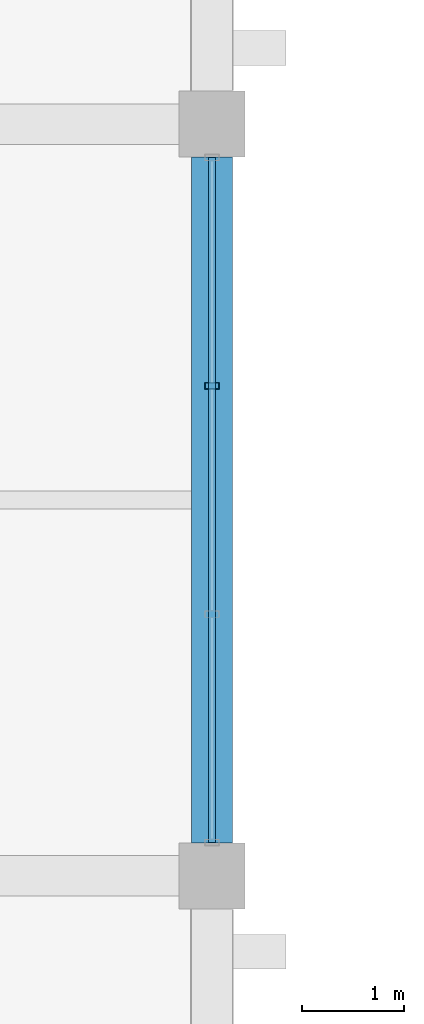
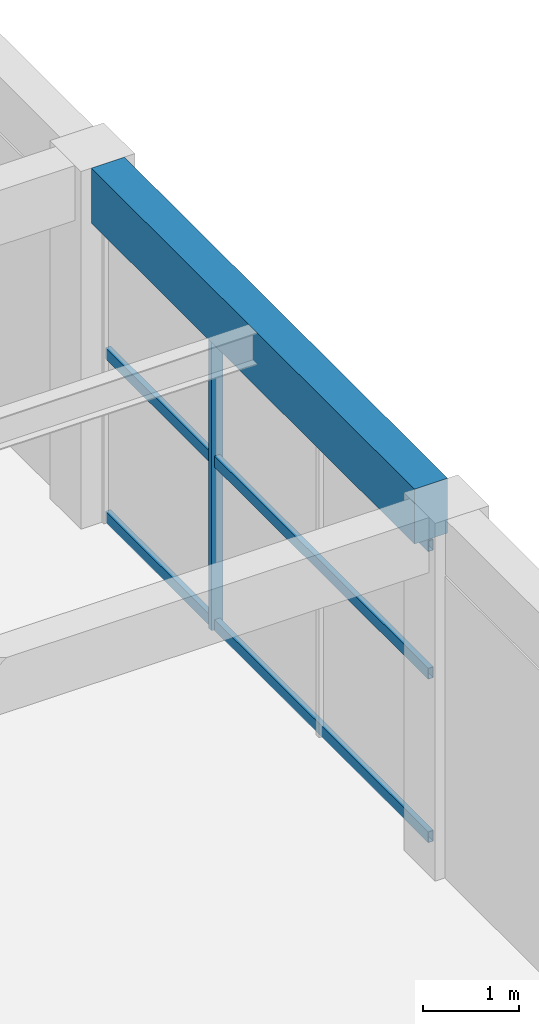
# One storey, part 123 of 161: 4 members, 1 beam, 1 element without a shape of its own.
"""IFC4 building model written with IfcOpenShell, lengths in metres."""

from ifc_helpers import new_model, si_unit, direction, frame, origin, origin_2d, place, context, subcontext, project, spatial, rectangle, hollow_rectangle, extrude, material, material_profile, profile_set, type_object, element, aggregate, save


model = new_model("IFC4")

# Units and contexts
model_context = context("Model", 3, precision=1e-05, world=origin(), true_north=direction((0.0, 1.0)))
body_context = subcontext(model_context, "Body", "Model", "MODEL_VIEW")
ifc_project = project(units=[si_unit("LENGTHUNIT", "METRE"), si_unit("AREAUNIT", "SQUARE_METRE"), si_unit("VOLUMEUNIT", "CUBIC_METRE"), si_unit("PLANEANGLEUNIT", "RADIAN"), si_unit("MASSUNIT", "GRAM", prefix="KILO")], contexts=[model_context])

# Site, building, storey
site_placement = place(None, origin())
site = spatial("IfcSite", under=ifc_project, at=site_placement, CompositionType="ELEMENT")
building_placement = place(site_placement, origin())
building = spatial("IfcBuilding", under=site, at=building_placement, Name="Cimatlan Art Gallery", CompositionType="ELEMENT")
storey_placement = place(building_placement, frame((0.0, 0.0, 5.39990234375)))
storey = spatial("IfcBuildingStorey", under=building, at=storey_placement, Name="L01", CompositionType="ELEMENT", Elevation=5.39990234375)

# Beam
ifc_material_1 = material(Name="Concrete C40/50", Category="concrete")
ifc_material_profile_1 = material_profile(ifc_material_1, rectangle(XDim=0.39990234375, YDim=0.699951171875, at=origin_2d()), Name="RC400X700")
ifc_profile_set_1 = profile_set([ifc_material_profile_1], Name="Concrete C40/50")
beam_type = type_object("IfcBeamType", Name="BM-RC-400X700", PredefinedType="BEAM", material=ifc_profile_set_1)
beam_placement = place(storey_placement, frame((131.60009765625, 76.02490234375, 4.210205078125), z_axis=(0.0, 1.0, 0.0), x_axis=(-1.0, 0.0, 0.0)))
element("IfcBeam", 1, at=beam_placement, inside=storey, type_object=beam_type, Name="BM-Y-L01-16-10", PredefinedType="BEAM", context=body_context, shape_type="SweptSolid", body=[
    extrude(rectangle(XDim=0.39990234375, YDim=0.699951171875, at=origin_2d()), origin(), (0.0, 0.0, 1.0), 6.75),
])

# Curtain wall, members
ifc_material_2 = material(Name="Anodised bronze unitised curtain wall")
curtain_wall_type = type_object("IfcCurtainWallType", Name="CW-V-06742X03830-B3", PredefinedType="NOTDEFINED", material=ifc_material_2)
curtain_wall_placement = place(storey_placement, origin())
curtain_wall = element("IfcCurtainWall", 2, at=curtain_wall_placement, inside=storey, type_object=curtain_wall_type, Name="CW-L01-15-10-E", PredefinedType="NOTDEFINED")
ifc_material_3 = material(Name="Anodised bronze aluminium 6063-T6", Category="aluminium")
ifc_material_profile_2 = material_profile(ifc_material_3, hollow_rectangle(XDim=0.06494140625, YDim=0.139892578125, WallThickness=0.00390625, at=origin_2d()), Name="ALU65X140X4")
ifc_profile_set_2 = profile_set([ifc_material_profile_2], Name="Anodised bronze aluminium 6063-T6")
member_type_1 = type_object("IfcMemberType", Name="CW-MUL-140", PredefinedType="MULLION", material=ifc_profile_set_2)
member_1_placement = place(storey_placement, frame((131.60009765625, 80.523681640625, 0.0), z_axis=(0.0, 0.0, 1.0), x_axis=(0.0, 1.0, 0.0)))
member_1 = element("IfcMember", 3, at=member_1_placement, type_object=member_type_1, Name="CW-L01-15-10-E-M2", PredefinedType="MULLION", context=body_context, shape_type="SweptSolid", body=[
    extrude(hollow_rectangle(XDim=0.06494140625, YDim=0.139892578125, WallThickness=0.00390625, at=origin_2d()), origin(), (0.0, 0.0, 1.0), 3.830078125),
])
ifc_material_profile_3 = material_profile(ifc_material_3, hollow_rectangle(XDim=0.06494140625, YDim=0.139892578125, WallThickness=0.00390625, at=origin_2d()), Name="ALU65X140X4")
ifc_profile_set_3 = profile_set([ifc_material_profile_3], Name="Anodised bronze aluminium 6063-T6")
member_type_2 = type_object("IfcMemberType", Name="CW-TRN-140", PredefinedType="USERDEFINED", material=ifc_profile_set_3)
member_2_placement = place(storey_placement, frame((131.60009765625, 82.77099609375, 0.06005859375), z_axis=(0.0, -1.0, 0.0), x_axis=(1.0, 0.0, 0.0)))
member_2 = element("IfcMember", 4, at=member_2_placement, type_object=member_type_2, Name="CW-L01-15-10-E-T1", ObjectType="TRANSOM", PredefinedType="USERDEFINED", context=body_context, shape_type="SweptSolid", body=[
    extrude(hollow_rectangle(XDim=0.06494140625, YDim=0.139892578125, WallThickness=0.00390625, at=origin_2d()), origin(), (0.0, 0.0, 1.0), 6.741943359375),
])
member_3_placement = place(storey_placement, frame((131.60009765625, 82.77099609375, 2.14501953125), z_axis=(0.0, -1.0, 0.0), x_axis=(1.0, 0.0, 0.0)))
member_3 = element("IfcMember", 5, at=member_3_placement, type_object=member_type_2, Name="CW-L01-15-10-E-T2", ObjectType="TRANSOM", PredefinedType="USERDEFINED", context=body_context, shape_type="SweptSolid", body=[
    extrude(hollow_rectangle(XDim=0.06494140625, YDim=0.139892578125, WallThickness=0.00390625, at=origin_2d()), origin(), (0.0, 0.0, 1.0), 6.741943359375),
])
member_4_placement = place(storey_placement, frame((131.60009765625, 82.77099609375, 3.77001953125), z_axis=(0.0, -1.0, 0.0), x_axis=(1.0, 0.0, 0.0)))
member_4 = element("IfcMember", 6, at=member_4_placement, type_object=member_type_2, Name="CW-L01-15-10-E-T3", ObjectType="TRANSOM", PredefinedType="USERDEFINED", context=body_context, shape_type="SweptSolid", body=[
    extrude(hollow_rectangle(XDim=0.06494140625, YDim=0.139892578125, WallThickness=0.00390625, at=origin_2d()), origin(), (0.0, 0.0, 1.0), 6.741943359375),
])
aggregate(curtain_wall, [member_1, member_2, member_3, member_4])

save(model, "model.ifc")
